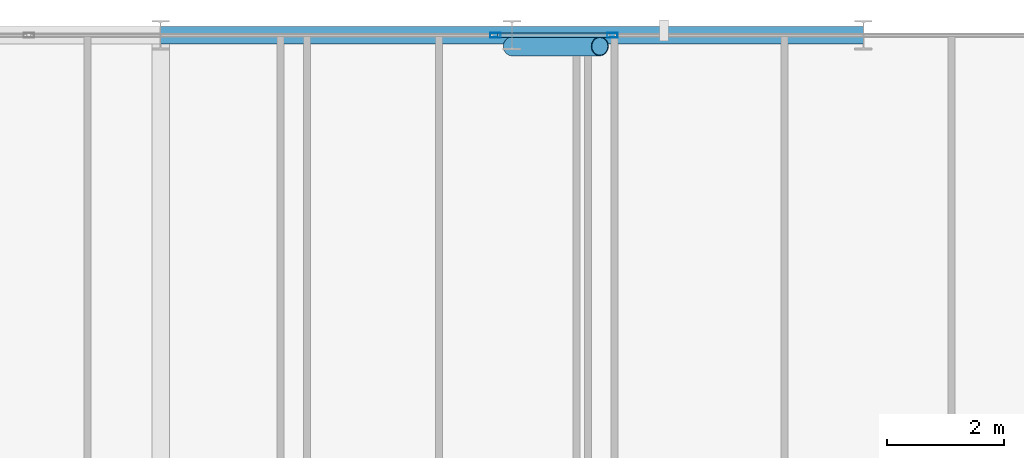
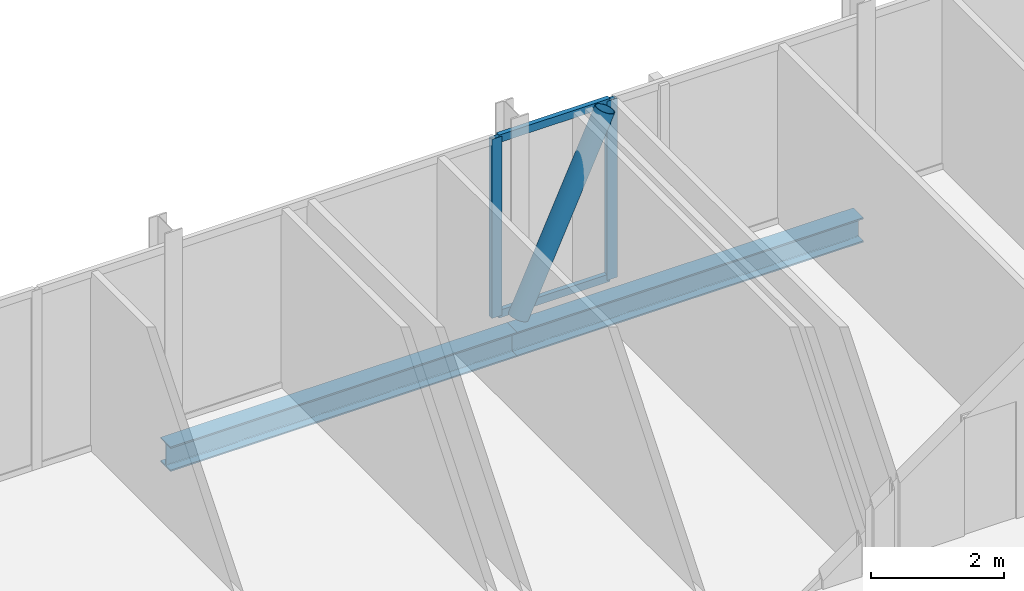
# One storey, part 20 of 31: 5 members, 2 beams, 2 elements without a shape of their own.
"""IFC4 building model written with IfcOpenShell, lengths in metres."""

from ifc_helpers import new_model, si_unit, direction, frame, origin, origin_2d, place, context, subcontext, project, spatial, hollow_rectangle, hollow_circle, i_section, extrude, material, layer, layer_set, material_profile, profile_set, type_object, element, aggregate, save


model = new_model("IFC4")

# Units and contexts
model_context = context("Model", 3, precision=1e-05, world=origin(), true_north=direction((0.0, 1.0)))
body_context = subcontext(model_context, "Body", "Model", "MODEL_VIEW")
ifc_project = project(units=[si_unit("LENGTHUNIT", "METRE"), si_unit("AREAUNIT", "SQUARE_METRE"), si_unit("VOLUMEUNIT", "CUBIC_METRE"), si_unit("PLANEANGLEUNIT", "RADIAN"), si_unit("MASSUNIT", "GRAM", prefix="KILO")], contexts=[model_context])

# Site, building, storey
site_placement = place(None, origin())
site = spatial("IfcSite", under=ifc_project, at=site_placement, CompositionType="ELEMENT")
building_placement = place(site_placement, origin())
building = spatial("IfcBuilding", under=site, at=building_placement, Name="Keshet Zoharim Tower", CompositionType="ELEMENT")
storey_placement = place(building_placement, frame((0.0, 0.0, 155.699951171875)))
storey = spatial("IfcBuildingStorey", under=building, at=storey_placement, Name="L38", CompositionType="ELEMENT", Elevation=155.699951171875)

# Beams
ifc_material_1 = material(Name="Steel S355", Category="steel")
ifc_material_profile_1 = material_profile(ifc_material_1, i_section(OverallWidth=0.300048828125, OverallDepth=0.449951171875, WebThickness=0.013916015625, FlangeThickness=0.02587890625, FilletRadius=0.027099609375, at=origin_2d()), Name="HEB450")
ifc_profile_set_1 = profile_set([ifc_material_profile_1], Name="Steel S355")
beam_type = type_object("IfcBeamType", Name="BM-WEB-HB450", PredefinedType="BEAM", material=ifc_profile_set_1)
for number, where, z_axis, x_axis, name in (
    (1, (33.0, 53.89990234375, -0.5400390625), (1.0, 0.0, 0.0), (0.0, 1.0, 0.0), "L38 Primary Girder X-022"),
    (2, (39.0, 53.89990234375, -0.5400390625), (1.0, 0.0, 0.0), (0.0, 1.0, 0.0), "L38 Primary Girder X-023"),
):
    element("IfcBeam", number, at=place(storey_placement, frame(where, z_axis=z_axis, x_axis=x_axis)), inside=storey, type_object=beam_type, Name=name, PredefinedType="BEAM", context=body_context, shape_type="SweptSolid", body=[
        extrude(i_section(OverallWidth=0.300048828125, OverallDepth=0.449951171875, WebThickness=0.013916015625, FlangeThickness=0.02587890625, FilletRadius=0.027099609375, at=origin_2d()), origin(), (0.0, 0.0, 1.0), 6.0),
    ])

# Curtain wall, member
ifc_material_2 = material(Name="Aluminium 6063-T6", Category="aluminium")
ifc_layer = layer(ifc_material_2, 0.159912109375)
ifc_layer_set = layer_set([ifc_layer], Name="Aluminium 6063-T6")
curtain_wall_type = type_object("IfcCurtainWallType", Name="CW-SYS-03", PredefinedType="NOTDEFINED", material=ifc_layer_set)
curtain_wall_1_placement = place(storey_placement, origin())
curtain_wall_1 = element("IfcCurtainWall", 3, at=curtain_wall_1_placement, inside=storey, type_object=curtain_wall_type, Name="L38 Unitised Curtain Wall 13 Part 3", PredefinedType="NOTDEFINED")
ifc_material_profile_2 = material_profile(ifc_material_2, hollow_rectangle(XDim=0.080078125, YDim=0.179931640625, WallThickness=0.00439453125, at=origin_2d()), Name="MUL-80x180")
ifc_profile_set_2 = profile_set([ifc_material_profile_2], Name="Aluminium 6063-T6")
member_type_1 = type_object("IfcMemberType", Name="CWM-M18", PredefinedType="MULLION", material=ifc_profile_set_2)
member_1_placement = place(storey_placement, frame((38.7177734375, 53.89990234375, 0.0), z_axis=(0.0, 0.0, 1.0), x_axis=(0.0, 1.0, 0.0)))
member_1 = element("IfcMember", 4, at=member_1_placement, type_object=member_type_1, Name="CW-03 mullion 3", PredefinedType="MULLION", context=body_context, shape_type="SweptSolid", body=[
    extrude(hollow_rectangle(XDim=0.080078125, YDim=0.179931640625, WallThickness=0.00439453125, at=origin_2d()), origin(), (0.0, 0.0, 1.0), 3.280029296875),
])
aggregate(curtain_wall_1, [member_1])

# Curtain wall, members
curtain_wall_2_placement = place(storey_placement, origin())
curtain_wall_2 = element("IfcCurtainWall", 5, at=curtain_wall_2_placement, inside=storey, type_object=curtain_wall_type, Name="L38 Unitised Curtain Wall 13 Part 4", PredefinedType="NOTDEFINED")
member_2_placement = place(storey_placement, frame((40.71240234375, 53.89990234375, 0.0), z_axis=(0.0, 0.0, 1.0), x_axis=(0.0, 1.0, 0.0)))
member_2 = element("IfcMember", 6, at=member_2_placement, type_object=member_type_1, Name="CW-03 mullion 2", PredefinedType="MULLION", context=body_context, shape_type="SweptSolid", body=[
    extrude(hollow_rectangle(XDim=0.080078125, YDim=0.179931640625, WallThickness=0.00439453125, at=origin_2d()), origin(), (0.0, 0.0, 1.0), 3.280029296875),
])
ifc_material_profile_3 = material_profile(ifc_material_2, hollow_rectangle(XDim=0.080078125, YDim=0.139892578125, WallThickness=0.00390625, at=origin_2d()), Name="TRN-80x140")
ifc_profile_set_3 = profile_set([ifc_material_profile_3], Name="Aluminium 6063-T6")
member_type_2 = type_object("IfcMemberType", Name="CWT-T14", PredefinedType="USERDEFINED", material=ifc_profile_set_3)
member_3_placement = place(storey_placement, frame((38.752685546875, 53.89990234375, 0.03515625), z_axis=(1.0, 0.0, 0.0), x_axis=(0.0, 1.0, 0.0)))
member_3 = element("IfcMember", 7, at=member_3_placement, type_object=member_type_2, Name="CW-03 transom 1.1", ObjectType="TRANSOM", PredefinedType="USERDEFINED", context=body_context, shape_type="SweptSolid", body=[
    extrude(hollow_rectangle(XDim=0.080078125, YDim=0.139892578125, WallThickness=0.00390625, at=origin_2d()), origin(), (0.0, 0.0, 1.0), 1.924560546875),
])
member_4_placement = place(storey_placement, frame((38.752685546875, 53.89990234375, 3.2451171875), z_axis=(1.0, 0.0, 0.0), x_axis=(0.0, 1.0, 0.0)))
member_4 = element("IfcMember", 8, at=member_4_placement, type_object=member_type_2, Name="CW-03 transom 1.2", ObjectType="TRANSOM", PredefinedType="USERDEFINED", context=body_context, shape_type="SweptSolid", body=[
    extrude(hollow_rectangle(XDim=0.080078125, YDim=0.139892578125, WallThickness=0.00390625, at=origin_2d()), origin(), (0.0, 0.0, 1.0), 1.924560546875),
])
aggregate(curtain_wall_2, [member_2, member_3, member_4])

# Member
ifc_material_profile_4 = material_profile(ifc_material_1, hollow_circle(Radius=0.161865234375, WallThickness=0.012451171875, at=origin_2d()), Name="CHS323x12.5")
ifc_profile_set_4 = profile_set([ifc_material_profile_4], Name="Steel S355")
member_type_3 = type_object("IfcMemberType", Name="MB-BR-C323", PredefinedType="BRACE", material=ifc_profile_set_4)
member_5_placement = place(storey_placement, frame((39.0, 53.7099609375, 0.0), z_axis=(0.415887731958, 0.0, 0.909415963356), x_axis=(0.0, 1.0, 0.0)))
element("IfcMember", 9, at=member_5_placement, inside=storey, type_object=member_type_3, Name="L38 Perimeter Tube Brace 04", PredefinedType="BRACE", context=body_context, shape_type="SweptSolid", body=[
    extrude(hollow_circle(Radius=0.161865234375, WallThickness=0.012451171875, at=origin_2d()), origin(), (0.0, 0.0, 1.0), 3.606689453125),
])

save(model, "model.ifc")
